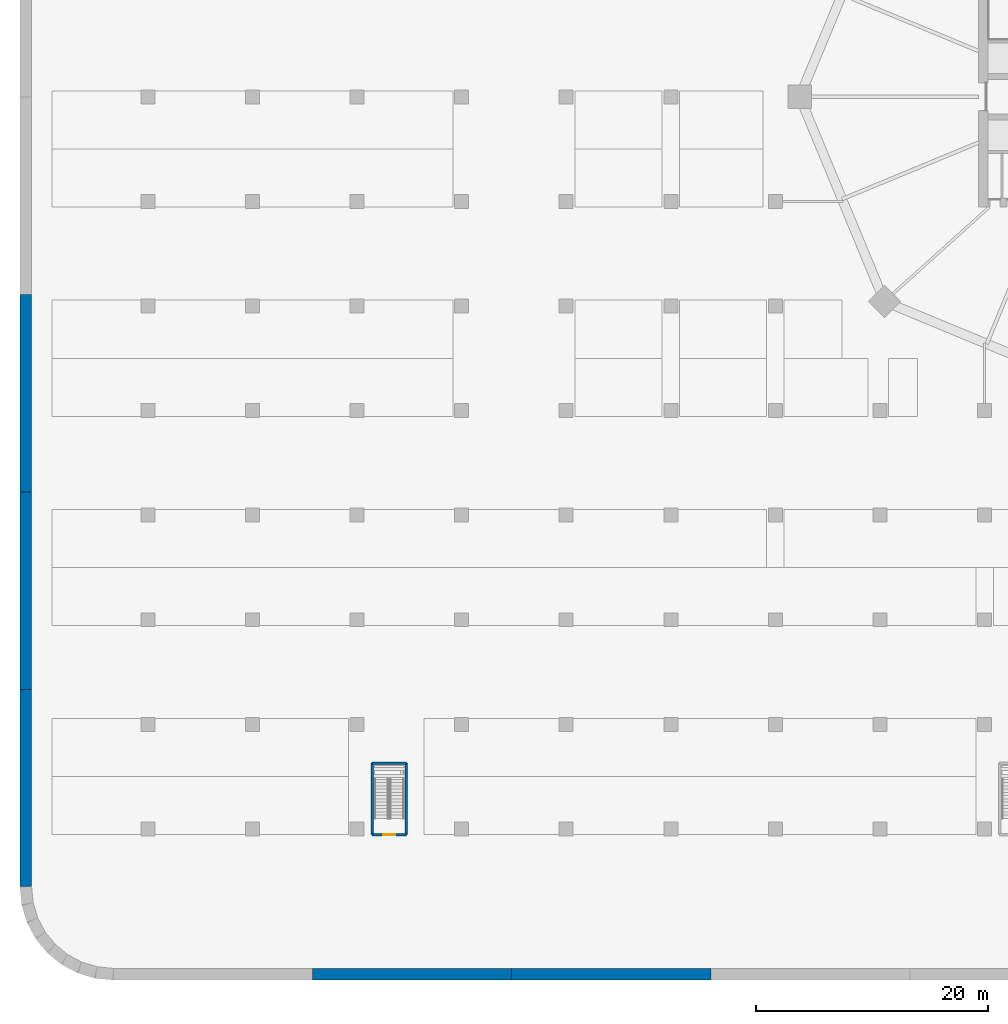
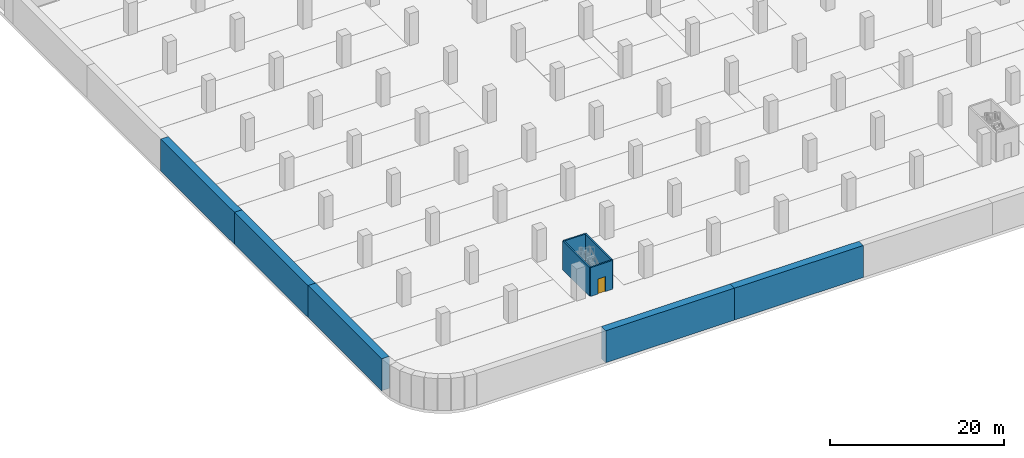
# One storey, part 8 of 34: 9 walls, 1 door, 1 opening.
"""IFC4 building model written with IfcOpenShell, lengths in metres."""

import ifcopenshell
import ifcopenshell.guid

model = None  # the IFC model being written
_history = None  # IfcOwnerHistory: only IFC2X3 demands one
_inside = {}  # id of a spatial element -> (the spatial element, [elements in it])
_under = {}  # id of a project, library or spatial element -> (it, [spatial elements below it])
_declared = {}  # id of a project -> (the project, [libraries it declares])
_typed = {}  # id of a type object -> (the type object, [elements of that type])
_made_of = {}  # id of a material, layer set ... -> (it, [elements and type objects made of it])


def new_model(schema):
    """Start an empty IFC model of exactly this schema.

    Asked for "IFC4X3", IfcOpenShell would pick the latest addendum, in which some entities
    have other attributes; the version numbers below select the first issue.
    IFC2X3 requires an IfcOwnerHistory on every rooted entity: one is made here for all.
    """
    global model, _history
    if schema == "IFC4X3":
        model = ifcopenshell.file(schema_version=(4, 3, 0, 0))
    else:
        model = ifcopenshell.file(schema=schema)
    _inside.clear()
    _under.clear()
    _declared.clear()
    _typed.clear()
    _made_of.clear()
    _history = None
    if model.schema == "IFC2X3":
        org = make("IfcOrganization", Name="unknown")
        user = make(
            "IfcPersonAndOrganization",
            ThePerson=make("IfcPerson", FamilyName="unknown"),
            TheOrganization=org,
        )
        app = make(
            "IfcApplication",
            ApplicationDeveloper=org,
            Version="unknown",
            ApplicationFullName="unknown",
            ApplicationIdentifier="unknown",
        )
        _history = make(
            "IfcOwnerHistory",
            OwningUser=user,
            OwningApplication=app,
            ChangeAction="ADDED",
            CreationDate=0,
        )
    return model


def make(cls, **values):
    """One entity of the class cls with the attributes given. An attribute that is None is left unset."""
    return model.create_entity(
        cls, **{name: value for name, value in values.items() if value is not None}
    )


def rooted(cls, **values):
    """An entity with a GlobalId (a new one), such as an element, a storey or a relation."""
    return make(cls, GlobalId=ifcopenshell.guid.new(), OwnerHistory=_history, **values)


def si_unit(unit_type, name, prefix=None):
    """IfcSIUnit, for example si_unit("LENGTHUNIT", "METRE", prefix="MILLI")."""
    return make("IfcSIUnit", UnitType=unit_type, Prefix=prefix, Name=name)


def assignment(units):
    """IfcUnitAssignment: the units of a project."""
    return None if units is None else make("IfcUnitAssignment", Units=units)


def point(xyz):
    """IfcCartesianPoint."""
    return None if xyz is None else make("IfcCartesianPoint", Coordinates=xyz)


def direction(xyz):
    """IfcDirection."""
    return None if xyz is None else make("IfcDirection", DirectionRatios=xyz)


def frame(location, z_axis=None, x_axis=None):
    """IfcAxis2Placement3D, a coordinate frame: its origin and axes. An axis left out is left unset."""
    return make(
        "IfcAxis2Placement3D",
        Location=point(location),
        Axis=direction(z_axis),
        RefDirection=direction(x_axis),
    )


def frame_2d(location, x_axis=None):
    """IfcAxis2Placement2D, a coordinate frame in the plane: its origin and x axis."""
    return make(
        "IfcAxis2Placement2D", Location=point(location), RefDirection=direction(x_axis)
    )


def origin():
    """The frame at (0, 0, 0) with its axes left unset."""
    return frame((0.0, 0.0, 0.0))


def place(relative_to, where):
    """IfcLocalPlacement: puts the frame where relative to a parent placement (None: the world)."""
    return make(
        "IfcLocalPlacement", PlacementRelTo=relative_to, RelativePlacement=where
    )


def context(
    kind, dimensions, precision=None, world=None, true_north=None, identifier=None
):
    """IfcGeometricRepresentationContext, for example the 3D "Model" context."""
    return make(
        "IfcGeometricRepresentationContext",
        ContextIdentifier=identifier,
        ContextType=kind,
        CoordinateSpaceDimension=dimensions,
        Precision=precision,
        WorldCoordinateSystem=world,
        TrueNorth=true_north,
    )


def subcontext(parent, identifier, kind, view, scale=None):
    """IfcGeometricRepresentationSubContext, for example "Body" below "Model"."""
    return make(
        "IfcGeometricRepresentationSubContext",
        ContextIdentifier=identifier,
        ContextType=kind,
        ParentContext=parent,
        TargetScale=scale,
        TargetView=view,
    )


def project(units=None, contexts=None):
    """IfcProject with its units and contexts."""
    return rooted(
        "IfcProject",
        Name="project",
        RepresentationContexts=contexts,
        UnitsInContext=assignment(units),
    )


def spatial(cls, under=None, at=None, **own):
    """A site, building, storey or space (cls), placed at a placement, below another one or the project."""
    s = rooted(cls, ObjectPlacement=at, **own)
    if under is not None:
        _under.setdefault(under.id(), (under, []))[1].append(s)
    return s


def profile(cls, at=None, kind="AREA", **sizes):
    """A parametric profile (cls). Its sizes go by their IFC names, for example OverallWidth=200.0."""
    return make(cls, ProfileType=kind, Position=at, **sizes)


def rectangle(**sizes):
    """IfcRectangleProfileDef."""
    return profile("IfcRectangleProfileDef", **sizes)


def extrude(swept, where, along, depth):
    """IfcExtrudedAreaSolid: the profile swept, set in the frame where, extruded along a direction by depth."""
    return make(
        "IfcExtrudedAreaSolid",
        SweptArea=swept,
        Position=where,
        ExtrudedDirection=direction(along),
        Depth=depth,
    )


def shape(context_of_items, identifier, shape_type, items):
    """IfcShapeRepresentation: the items that make up one representation, for example the "Body"."""
    return make(
        "IfcShapeRepresentation",
        ContextOfItems=context_of_items,
        RepresentationIdentifier=identifier,
        RepresentationType=shape_type,
        Items=items,
    )


def material(Name=None, Category=None):
    """IfcMaterial."""
    return make("IfcMaterial", Name=Name, Category=Category)


def layer(
    of_material, thickness, ventilated=None, Name=None, Category=None, Priority=None
):
    """IfcMaterialLayer: one layer of a wall or slab, of a material (None: an air gap)."""
    return make(
        "IfcMaterialLayer",
        Material=of_material,
        LayerThickness=thickness,
        IsVentilated=ventilated,
        Name=Name,
        Category=Category,
        Priority=Priority,
    )


def layer_set(layers, Name=None):
    """IfcMaterialLayerSet."""
    return make("IfcMaterialLayerSet", MaterialLayers=layers, LayerSetName=Name)


def made_of(thing, what):
    """Note that an element or type object is made of a material, layer set ...; save() writes the relation."""
    if what is not None:
        _made_of.setdefault(what.id(), (what, []))[1].append(thing)
    return thing


def type_object(cls, material=None, **own):
    """A type object (cls), such as IfcWallType, which elements share."""
    return made_of(rooted(cls, **own), material)


def element(
    cls,
    number,
    at=None,
    inside=None,
    cuts=None,
    type_object=None,
    material=None,
    context=None,
    identifier="Body",
    shape_type=None,
    held_by="IfcProductDefinitionShape",
    body=None,
    shapes=None,
    **own,
):
    """One element of the class cls, such as IfcWall. Its Tag is "e" and its number.

    at: its placement. inside: the storey or other place that contains it. cuts: it is an
    opening in that element (IfcRelVoidsElement). A single representation is given by context,
    identifier, shape_type and body (its items); several are given by shapes. held_by: the class
    of the entity that holds the representations. save() writes the other relations.
    """
    e = rooted(cls, Tag="e%d" % number, ObjectPlacement=at, **own)
    if body is not None:
        shapes = [shape(context, identifier, shape_type, body)]
    if shapes is not None:
        e.Representation = make(held_by, Representations=shapes)
    if inside is not None:
        _inside.setdefault(inside.id(), (inside, []))[1].append(e)
    if cuts is not None:
        rooted(
            "IfcRelVoidsElement", RelatingBuildingElement=cuts, RelatedOpeningElement=e
        )
    if type_object is not None:
        _typed.setdefault(type_object.id(), (type_object, []))[1].append(e)
    return made_of(e, material)


def fill(opening, filler):
    """IfcRelFillsElement: the door or window that sits in an opening."""
    return rooted(
        "IfcRelFillsElement",
        RelatingOpeningElement=opening,
        RelatedBuildingElement=filler,
    )


def aggregate(whole, parts):
    """IfcRelAggregates: a whole, such as a stair, and the parts it consists of."""
    return rooted("IfcRelAggregates", RelatingObject=whole, RelatedObjects=parts)


def save(model, path):
    """Write the relations noted so far, then the file.

    IfcRelAggregates (storeys below a building ...), IfcRelContainedInSpatialStructure (elements
    in a storey), IfcRelDefinesByType, IfcRelAssociatesMaterial and IfcRelDeclares: one each for
    every whole, place, type object, material and project.
    """
    for whole, parts in _under.values():
        aggregate(whole, parts)
    for where, things in _inside.values():
        rooted(
            "IfcRelContainedInSpatialStructure",
            RelatedElements=things,
            RelatingStructure=where,
        )
    for kind, things in _typed.values():
        rooted("IfcRelDefinesByType", RelatedObjects=things, RelatingType=kind)
    for what, things in _made_of.values():
        rooted("IfcRelAssociatesMaterial", RelatedObjects=things, RelatingMaterial=what)
    for by, libraries in _declared.values():
        rooted("IfcRelDeclares", RelatingContext=by, RelatedDefinitions=libraries)
    model.write(path)


model = new_model("IFC4")

# Units and contexts
model_context = context("Model", 3, precision=1e-05, world=origin(), true_north=direction((0.0, 1.0)))
body_context = subcontext(model_context, "Body", "Model", "MODEL_VIEW")
ifc_project = project(units=[si_unit("LENGTHUNIT", "METRE"), si_unit("AREAUNIT", "SQUARE_METRE"), si_unit("VOLUMEUNIT", "CUBIC_METRE"), si_unit("PLANEANGLEUNIT", "RADIAN"), si_unit("MASSUNIT", "GRAM", prefix="KILO")], contexts=[model_context])

# Site, building, storey
site_placement = place(None, origin())
site = spatial("IfcSite", under=ifc_project, at=site_placement, CompositionType="ELEMENT")
building_placement = place(site_placement, origin())
building = spatial("IfcBuilding", under=site, at=building_placement, Name="Ogive Gate Towers", CompositionType="ELEMENT")
storey_placement = place(building_placement, frame((0.0, 0.0, -4.5)))
storey = spatial("IfcBuildingStorey", under=building, at=storey_placement, Name="B1", CompositionType="ELEMENT", Elevation=-4.5)

# Wall, opening, door
ifc_material_1 = material(Name="Reinforced concrete C32/40", Category="concrete")
ifc_layer_1 = layer(ifc_material_1, 0.199951171875)
ifc_layer_set_1 = layer_set([ifc_layer_1], Name="Car park stair shaft wall 200")
wall_type_1 = type_object("IfcWallType", Name="Car park stair shaft wall 200", PredefinedType="SOLIDWALL", material=ifc_layer_set_1)
wall_1_placement = place(storey_placement, frame((-94.75, -63.5, 0.0), z_axis=(0.0, 0.0, 1.0), x_axis=(-1.0, 0.0, 0.0)))
wall_1 = element("IfcWall", 1, at=wall_1_placement, inside=storey, type_object=wall_type_1, Name="CS5 stair shaft wall B1 1", PredefinedType="SOLIDWALL", context=body_context, shape_type="SweptSolid", body=[
    extrude(rectangle(XDim=2.949951171875, YDim=0.199951171875, at=frame_2d((1.47509765625, 0.0))), origin(), (0.0, 0.0, 1.0), 4.050048828125),
])
opening_placement = place(wall_1_placement, frame((0.97509765625, 0.0, 0.0)))
opening = element("IfcOpeningElement", 2, at=opening_placement, cuts=wall_1, Name="Opening CPD35-B1", PredefinedType="OPENING", context=body_context, shape_type="SweptSolid", body=[
    extrude(rectangle(XDim=1.0, YDim=2.10009765625, at=frame_2d((0.5, 1.050048828125))), frame((0.0, 0.10986328125, 0.0), z_axis=(0.0, -1.0, 0.0), x_axis=(1.0, 0.0, 0.0)), (0.0, 0.0, 1.0), 0.219970703125),
])
ifc_material_2 = material(Name="Painted steel door", Category="steel")
door_type = type_object("IfcDoorType", Name="Stair house door 1000 x 2100", OperationType="SINGLE_SWING_LEFT", PredefinedType="DOOR", material=ifc_material_2)
door_placement = place(opening_placement, origin())
door = element("IfcDoor", 3, at=door_placement, inside=storey, type_object=door_type, Name="Door CS5 stair B1", OperationType="SINGLE_SWING_LEFT", OverallHeight=2.10009765625, OverallWidth=1.0, PredefinedType="DOOR", context=body_context, shape_type="SweptSolid", body=[
    extrude(rectangle(XDim=1.0, YDim=2.10009765625, at=frame_2d((0.5, 1.050048828125))), frame((0.0, 0.02490234375, 0.0), z_axis=(0.0, -1.0, 0.0), x_axis=(1.0, 0.0, 0.0)), (0.0, 0.0, 1.0), 0.050048828125),
])
fill(opening, door)

# Walls
wall_2_placement = place(storey_placement, frame((-97.699951171875, -63.5, 0.0), z_axis=(0.0, 0.0, 1.0), x_axis=(0.0, 1.0, 0.0)))
element("IfcWall", 4, at=wall_2_placement, inside=storey, type_object=wall_type_1, Name="CS5 stair shaft wall B1 2", PredefinedType="SOLIDWALL", context=body_context, shape_type="SweptSolid", body=[
    extrude(rectangle(XDim=6.159912109375, YDim=0.199951171875, at=frame_2d((3.080078125, 0.0))), origin(), (0.0, 0.0, 1.0), 4.050048828125),
])
wall_3_placement = place(storey_placement, frame((-97.699951171875, -57.340087890625, 0.0), z_axis=(0.0, 0.0, 1.0), x_axis=(1.0, 0.0, 0.0)))
element("IfcWall", 5, at=wall_3_placement, inside=storey, type_object=wall_type_1, Name="CS5 stair shaft wall B1 3", PredefinedType="SOLIDWALL", context=body_context, shape_type="SweptSolid", body=[
    extrude(rectangle(XDim=2.949951171875, YDim=0.199951171875, at=frame_2d((1.47509765625, 0.0))), origin(), (0.0, 0.0, 1.0), 4.050048828125),
])
wall_4_placement = place(storey_placement, frame((-94.75, -57.340087890625, 0.0), z_axis=(0.0, 0.0, 1.0), x_axis=(0.0, -1.0, 0.0)))
element("IfcWall", 6, at=wall_4_placement, inside=storey, type_object=wall_type_1, Name="CS5 stair shaft wall B1 4", PredefinedType="SOLIDWALL", context=body_context, shape_type="SweptSolid", body=[
    extrude(rectangle(XDim=6.159912109375, YDim=0.199951171875, at=frame_2d((3.080078125, 0.0))), origin(), (0.0, 0.0, 1.0), 4.050048828125),
])
ifc_material_3 = material(Name="Concrete C40/50", Category="concrete")
ifc_layer_2 = layer(ifc_material_3, 1.0)
ifc_layer_set_2 = layer_set([ifc_layer_2], Name="Retaining wall 1000")
wall_type_2 = type_object("IfcWallType", Name="Retaining wall 1000", PredefinedType="SOLIDWALL", material=ifc_layer_set_2)
for number, where, z_axis, x_axis, name in (
    (7, (-68.557373046875, -75.5, 0.0), (0.0, 0.0, 1.0), (-1.0, 0.0, 0.0), "BS/B1/SWL012"),
    (8, (-85.69677734375, -75.5, 0.0), (0.0, 0.0, 1.0), (-1.0, 0.0, 0.0), "BS/B1/SWL013"),
):
    element("IfcWall", number, at=place(storey_placement, frame(where, z_axis=z_axis, x_axis=x_axis)), inside=storey, type_object=wall_type_2, Name=name, PredefinedType="SOLIDWALL", context=body_context, shape_type="SweptSolid", body=[
        extrude(rectangle(XDim=17.139404296875, YDim=1.0, at=frame_2d((8.56982421875, 0.0))), origin(), (0.0, 0.0, 1.0), 4.5),
    ])
wall_5_placement = place(storey_placement, frame((-127.5, -67.975341796875, 0.0), z_axis=(0.0, 0.0, 1.0), x_axis=(0.0, 1.0, 0.0)))
element("IfcWall", 9, at=wall_5_placement, inside=storey, type_object=wall_type_2, Name="BS/B1/SWL023", PredefinedType="SOLIDWALL", context=body_context, shape_type="SweptSolid", body=[
    extrude(rectangle(XDim=16.99365234375, YDim=1.0, at=frame_2d((8.496826171875, 0.0))), origin(), (0.0, 0.0, 1.0), 4.5),
])
for number, where, z_axis, x_axis, name in (
    (10, (-127.5, -50.981689453125, 0.0), (0.0, 0.0, 1.0), (0.0, 1.0, 0.0), "BS/B1/SWL024"),
    (11, (-127.5, -33.98779296875, 0.0), (0.0, 0.0, 1.0), (0.0, 1.0, 0.0), "BS/B1/SWL025"),
):
    element("IfcWall", number, at=place(storey_placement, frame(where, z_axis=z_axis, x_axis=x_axis)), inside=storey, type_object=wall_type_2, Name=name, PredefinedType="SOLIDWALL", context=body_context, shape_type="SweptSolid", body=[
        extrude(rectangle(XDim=16.993896484375, YDim=1.0, at=frame_2d((8.4970703125, 0.0))), origin(), (0.0, 0.0, 1.0), 4.5),
    ])

save(model, "model.ifc")
